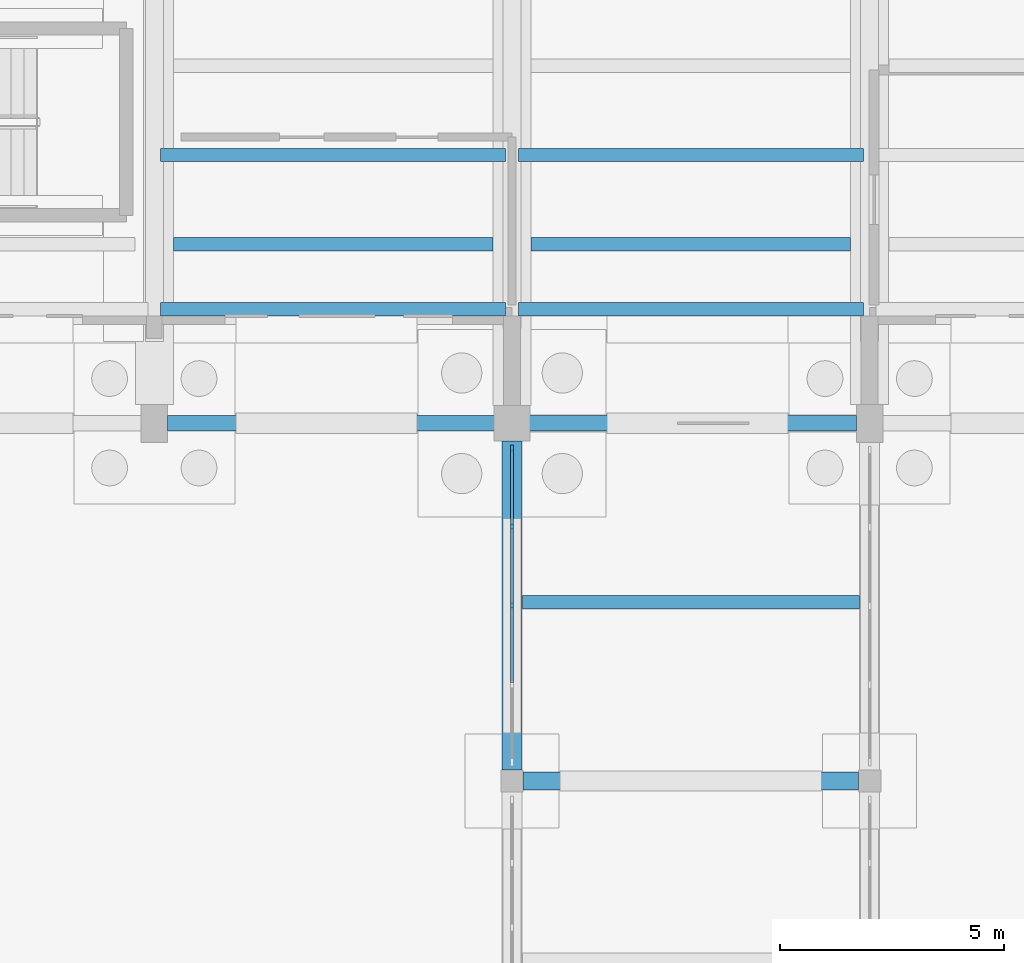
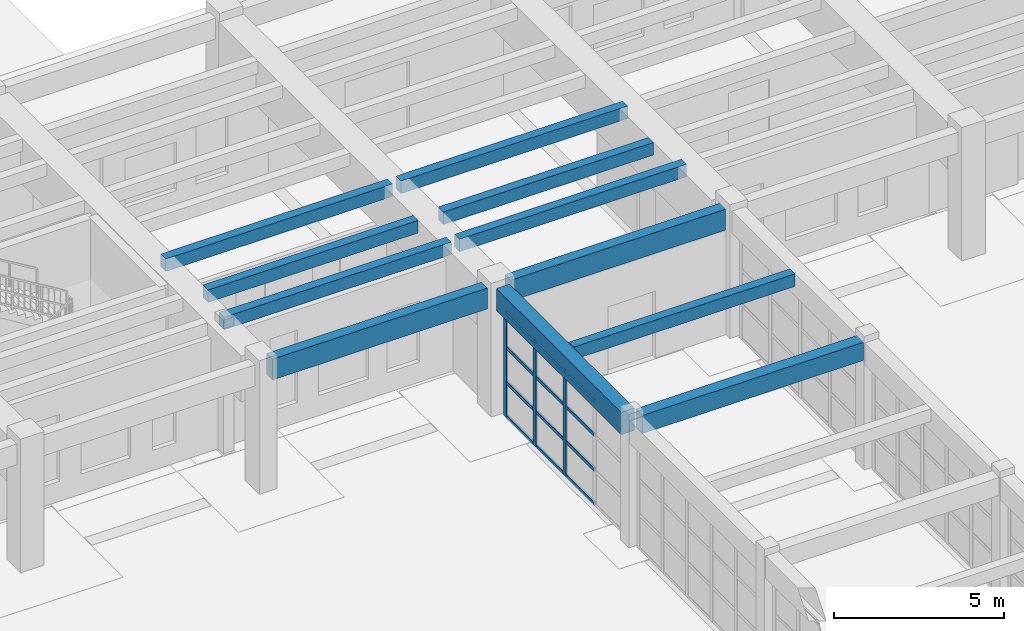
# One storey, part 26 of 68: 15 members, 11 beams, 1 element without a shape of its own.
"""IFC4 building model written with IfcOpenShell, lengths in metres."""

from ifc_helpers import new_model, si_unit, direction, frame, origin, origin_2d, place, context, subcontext, project, spatial, rectangle, extrude, material, material_profile, profile_set, type_object, element, aggregate, save


model = new_model("IFC4")

# Units and contexts
model_context = context("Model", 3, precision=1e-05, world=origin(), true_north=direction((0.0, 1.0)))
body_context = subcontext(model_context, "Body", "Model", "MODEL_VIEW")
ifc_project = project(units=[si_unit("LENGTHUNIT", "METRE"), si_unit("AREAUNIT", "SQUARE_METRE"), si_unit("VOLUMEUNIT", "CUBIC_METRE"), si_unit("PLANEANGLEUNIT", "RADIAN"), si_unit("MASSUNIT", "GRAM", prefix="KILO")], contexts=[model_context])

# Site, building, storey
site_placement = place(None, origin())
site = spatial("IfcSite", under=ifc_project, at=site_placement, CompositionType="ELEMENT")
building_placement = place(site_placement, origin())
building = spatial("IfcBuilding", under=site, at=building_placement, Name="Serraluz Foothill Cableway Terminal", CompositionType="ELEMENT")
storey_placement = place(building_placement, origin())
storey = spatial("IfcBuildingStorey", under=building, at=storey_placement, Name="L00", CompositionType="ELEMENT", Elevation=0.0)

# Beams
ifc_material_1 = material(Name="Concrete C28/35 (f'c 28 MPa)", Category="concrete")
ifc_material_profile_1 = material_profile(ifc_material_1, rectangle(XDim=0.39990234375, YDim=0.64990234375, at=origin_2d()), Name="RC 400x650")
ifc_profile_set_1 = profile_set([ifc_material_profile_1], Name="Concrete C28/35 (f'c 28 MPa)")
beam_type_1 = type_object("IfcBeamType", Name="TYP-BM-RC400X650", PredefinedType="BEAM", material=ifc_profile_set_1)
beam_1_placement = place(storey_placement, frame((120.24609375, 48.0, 4.235107421875), z_axis=(1.0, 0.0, 0.0), x_axis=(0.0, 1.0, 0.0)))
element("IfcBeam", 1, at=beam_1_placement, inside=storey, type_object=beam_type_1, Name="Primary Girder BM-X-L00-0056", PredefinedType="BEAM", context=body_context, shape_type="SweptSolid", body=[
    extrude(rectangle(XDim=0.39990234375, YDim=0.64990234375, at=origin_2d()), origin(), (0.0, 0.0, 1.0), 7.5078125),
])
ifc_material_2 = material(Name="Concrete C35/45 (f'c 35 MPa)", Category="concrete")
ifc_material_profile_2 = material_profile(ifc_material_2, rectangle(XDim=0.449951171875, YDim=0.800048828125, at=origin_2d()), Name="RC 450x800")
ifc_profile_set_2 = profile_set([ifc_material_profile_2], Name="Concrete C35/45 (f'c 35 MPa)")
beam_type_2 = type_object("IfcBeamType", Name="TYP-BM-RC450X800", PredefinedType="BEAM", material=ifc_profile_set_2)
beam_2_placement = place(storey_placement, frame((120.0, 48.24609375, 4.159912109375), z_axis=(0.0, 1.0, 0.0), x_axis=(-1.0, 0.0, 0.0)))
element("IfcBeam", 2, at=beam_2_placement, inside=storey, type_object=beam_type_2, Name="Transverse Girder BM-Y-L00-0161", PredefinedType="BEAM", context=body_context, shape_type="SweptSolid", body=[
    extrude(rectangle(XDim=0.449951171875, YDim=0.800048828125, at=origin_2d()), origin(), (0.0, 0.0, 1.0), 7.35791015625),
])

# Curtain wall, members
ifc_material_3 = material(Name="Architectural bronze alloy C28000", Category="aluminium")
curtain_wall_type = type_object("IfcCurtainWallType", Name="TYP-CW-710X420", PredefinedType="NOTDEFINED", material=ifc_material_3)
curtain_wall_placement = place(storey_placement, origin())
curtain_wall = element("IfcCurtainWall", 3, at=curtain_wall_placement, inside=storey, type_object=curtain_wall_type, Name="Ribbed Glazed Curtain Wall CW-CLW-L00-48", PredefinedType="NOTDEFINED")
ifc_material_profile_3 = material_profile(ifc_material_3, rectangle(XDim=0.06005859375, YDim=0.159912109375, at=origin_2d()), Name="ALU MULLION 60x160")
ifc_profile_set_3 = profile_set([ifc_material_profile_3], Name="Architectural bronze alloy C28000")
member_type_1 = type_object("IfcMemberType", Name="TYP-CW-MUL-60X160", PredefinedType="MULLION", material=ifc_profile_set_3)
member_1_placement = place(storey_placement, frame((120.0, 51.925048828125, 0.0), z_axis=(0.0, 0.0, 1.0), x_axis=(-1.0, 0.0, 0.0)))
member_1 = element("IfcMember", 4, at=member_1_placement, type_object=member_type_1, Name="CW-01 mullion 3", PredefinedType="MULLION", context=body_context, shape_type="SweptSolid", body=[
    extrude(rectangle(XDim=0.06005859375, YDim=0.159912109375, at=origin_2d()), origin(), (0.0, 0.0, 1.0), 3.760009765625),
])
member_2_placement = place(storey_placement, frame((120.0, 53.6923828125, 0.0), z_axis=(0.0, 0.0, 1.0), x_axis=(-1.0, 0.0, 0.0)))
member_2 = element("IfcMember", 5, at=member_2_placement, type_object=member_type_1, Name="CW-01 mullion 4", PredefinedType="MULLION", context=body_context, shape_type="SweptSolid", body=[
    extrude(rectangle(XDim=0.06005859375, YDim=0.159912109375, at=origin_2d()), origin(), (0.0, 0.0, 1.0), 3.760009765625),
])
member_3_placement = place(storey_placement, frame((120.0, 55.429931640625, 0.0), z_axis=(0.0, 0.0, 1.0), x_axis=(-1.0, 0.0, 0.0)))
member_3 = element("IfcMember", 6, at=member_3_placement, type_object=member_type_1, Name="CW-01 mullion 5", PredefinedType="MULLION", context=body_context, shape_type="SweptSolid", body=[
    extrude(rectangle(XDim=0.06005859375, YDim=0.159912109375, at=origin_2d()), origin(), (0.0, 0.0, 1.0), 3.760009765625),
])
ifc_material_profile_4 = material_profile(ifc_material_3, rectangle(XDim=0.06005859375, YDim=0.1201171875, at=origin_2d()), Name="ALU TRANSOM 60x120")
ifc_profile_set_4 = profile_set([ifc_material_profile_4], Name="Architectural bronze alloy C28000")
member_type_2 = type_object("IfcMemberType", Name="TYP-CW-TRN-60X120", PredefinedType="USERDEFINED", material=ifc_profile_set_4)
member_4_placement = place(storey_placement, frame((120.0, 50.1875, 0.030029296875), z_axis=(0.0, 1.0, 0.0), x_axis=(-1.0, 0.0, 0.0)))
member_4 = element("IfcMember", 7, at=member_4_placement, type_object=member_type_2, Name="CW-01 transom 2.1", ObjectType="TRANSOM", PredefinedType="USERDEFINED", context=body_context, shape_type="SweptSolid", body=[
    extrude(rectangle(XDim=0.06005859375, YDim=0.1201171875, at=origin_2d()), origin(), (0.0, 0.0, 1.0), 1.70751953125),
])
member_5_placement = place(storey_placement, frame((120.0, 50.1875, 1.25341796875), z_axis=(0.0, 1.0, 0.0), x_axis=(-1.0, 0.0, 0.0)))
member_5 = element("IfcMember", 8, at=member_5_placement, type_object=member_type_2, Name="CW-01 transom 2.2", ObjectType="TRANSOM", PredefinedType="USERDEFINED", context=body_context, shape_type="SweptSolid", body=[
    extrude(rectangle(XDim=0.06005859375, YDim=0.1201171875, at=origin_2d()), origin(), (0.0, 0.0, 1.0), 1.70751953125),
])
member_6_placement = place(storey_placement, frame((120.0, 50.1875, 2.506591796875), z_axis=(0.0, 1.0, 0.0), x_axis=(-1.0, 0.0, 0.0)))
member_6 = element("IfcMember", 9, at=member_6_placement, type_object=member_type_2, Name="CW-01 transom 2.3", ObjectType="TRANSOM", PredefinedType="USERDEFINED", context=body_context, shape_type="SweptSolid", body=[
    extrude(rectangle(XDim=0.06005859375, YDim=0.1201171875, at=origin_2d()), origin(), (0.0, 0.0, 1.0), 1.70751953125),
])
member_7_placement = place(storey_placement, frame((120.0, 50.1875, 3.72998046875), z_axis=(0.0, 1.0, 0.0), x_axis=(-1.0, 0.0, 0.0)))
member_7 = element("IfcMember", 10, at=member_7_placement, type_object=member_type_2, Name="CW-01 transom 2.4", ObjectType="TRANSOM", PredefinedType="USERDEFINED", context=body_context, shape_type="SweptSolid", body=[
    extrude(rectangle(XDim=0.06005859375, YDim=0.1201171875, at=origin_2d()), origin(), (0.0, 0.0, 1.0), 1.70751953125),
])
member_8_placement = place(storey_placement, frame((120.0, 51.955078125, 0.030029296875), z_axis=(0.0, 1.0, 0.0), x_axis=(-1.0, 0.0, 0.0)))
member_8 = element("IfcMember", 11, at=member_8_placement, type_object=member_type_2, Name="CW-01 transom 3.1", ObjectType="TRANSOM", PredefinedType="USERDEFINED", context=body_context, shape_type="SweptSolid", body=[
    extrude(rectangle(XDim=0.06005859375, YDim=0.1201171875, at=origin_2d()), origin(), (0.0, 0.0, 1.0), 1.70751953125),
])
member_9_placement = place(storey_placement, frame((120.0, 51.955078125, 1.25341796875), z_axis=(0.0, 1.0, 0.0), x_axis=(-1.0, 0.0, 0.0)))
member_9 = element("IfcMember", 12, at=member_9_placement, type_object=member_type_2, Name="CW-01 transom 3.2", ObjectType="TRANSOM", PredefinedType="USERDEFINED", context=body_context, shape_type="SweptSolid", body=[
    extrude(rectangle(XDim=0.06005859375, YDim=0.1201171875, at=origin_2d()), origin(), (0.0, 0.0, 1.0), 1.70751953125),
])
member_10_placement = place(storey_placement, frame((120.0, 51.955078125, 2.506591796875), z_axis=(0.0, 1.0, 0.0), x_axis=(-1.0, 0.0, 0.0)))
member_10 = element("IfcMember", 13, at=member_10_placement, type_object=member_type_2, Name="CW-01 transom 3.3", ObjectType="TRANSOM", PredefinedType="USERDEFINED", context=body_context, shape_type="SweptSolid", body=[
    extrude(rectangle(XDim=0.06005859375, YDim=0.1201171875, at=origin_2d()), origin(), (0.0, 0.0, 1.0), 1.70751953125),
])
member_11_placement = place(storey_placement, frame((120.0, 51.955078125, 3.72998046875), z_axis=(0.0, 1.0, 0.0), x_axis=(-1.0, 0.0, 0.0)))
member_11 = element("IfcMember", 14, at=member_11_placement, type_object=member_type_2, Name="CW-01 transom 3.4", ObjectType="TRANSOM", PredefinedType="USERDEFINED", context=body_context, shape_type="SweptSolid", body=[
    extrude(rectangle(XDim=0.06005859375, YDim=0.1201171875, at=origin_2d()), origin(), (0.0, 0.0, 1.0), 1.70751953125),
])
member_12_placement = place(storey_placement, frame((120.0, 53.722412109375, 0.030029296875), z_axis=(0.0, 1.0, 0.0), x_axis=(-1.0, 0.0, 0.0)))
member_12 = element("IfcMember", 15, at=member_12_placement, type_object=member_type_2, Name="CW-01 transom 4.1", ObjectType="TRANSOM", PredefinedType="USERDEFINED", context=body_context, shape_type="SweptSolid", body=[
    extrude(rectangle(XDim=0.06005859375, YDim=0.1201171875, at=origin_2d()), origin(), (0.0, 0.0, 1.0), 1.677490234375),
])
member_13_placement = place(storey_placement, frame((120.0, 53.722412109375, 1.25341796875), z_axis=(0.0, 1.0, 0.0), x_axis=(-1.0, 0.0, 0.0)))
member_13 = element("IfcMember", 16, at=member_13_placement, type_object=member_type_2, Name="CW-01 transom 4.2", ObjectType="TRANSOM", PredefinedType="USERDEFINED", context=body_context, shape_type="SweptSolid", body=[
    extrude(rectangle(XDim=0.06005859375, YDim=0.1201171875, at=origin_2d()), origin(), (0.0, 0.0, 1.0), 1.677490234375),
])
member_14_placement = place(storey_placement, frame((120.0, 53.722412109375, 2.506591796875), z_axis=(0.0, 1.0, 0.0), x_axis=(-1.0, 0.0, 0.0)))
member_14 = element("IfcMember", 17, at=member_14_placement, type_object=member_type_2, Name="CW-01 transom 4.3", ObjectType="TRANSOM", PredefinedType="USERDEFINED", context=body_context, shape_type="SweptSolid", body=[
    extrude(rectangle(XDim=0.06005859375, YDim=0.1201171875, at=origin_2d()), origin(), (0.0, 0.0, 1.0), 1.677490234375),
])
member_15_placement = place(storey_placement, frame((120.0, 53.722412109375, 3.72998046875), z_axis=(0.0, 1.0, 0.0), x_axis=(-1.0, 0.0, 0.0)))
member_15 = element("IfcMember", 18, at=member_15_placement, type_object=member_type_2, Name="CW-01 transom 4.4", ObjectType="TRANSOM", PredefinedType="USERDEFINED", context=body_context, shape_type="SweptSolid", body=[
    extrude(rectangle(XDim=0.06005859375, YDim=0.1201171875, at=origin_2d()), origin(), (0.0, 0.0, 1.0), 1.677490234375),
])
aggregate(curtain_wall, [member_1, member_2, member_3, member_4, member_5, member_6, member_7, member_8, member_9, member_10, member_11, member_12, member_13, member_14, member_15])

# Beams
ifc_material_profile_5 = material_profile(ifc_material_1, rectangle(XDim=0.300048828125, YDim=0.449951171875, at=origin_2d()), Name="RC 300x450")
ifc_profile_set_5 = profile_set([ifc_material_profile_5], Name="Concrete C28/35 (f'c 28 MPa)")
beam_type_3 = type_object("IfcBeamType", Name="TYP-JS-RC300X450", PredefinedType="JOIST", material=ifc_profile_set_5)
beam_3_placement = place(storey_placement, frame((112.429931640625, 60.0, 4.27490234375), z_axis=(1.0, 0.0, 0.0), x_axis=(0.0, 1.0, 0.0)))
element("IfcBeam", 19, at=beam_3_placement, inside=storey, type_object=beam_type_3, Name="Secondary Floor Joist JS-L00-0043", PredefinedType="JOIST", context=body_context, shape_type="SweptSolid", body=[
    extrude(rectangle(XDim=0.300048828125, YDim=0.449951171875, at=origin_2d()), origin(), (0.0, 0.0, 1.0), 7.14013671875),
])
beam_4_placement = place(storey_placement, frame((120.22998046875, 52.0, 4.3349609375), z_axis=(1.0, 0.0, 0.0), x_axis=(0.0, 1.0, 0.0)))
element("IfcBeam", 20, at=beam_4_placement, inside=storey, type_object=beam_type_3, Name="Secondary Floor Joist JS-L00-0053", PredefinedType="JOIST", context=body_context, shape_type="SweptSolid", body=[
    extrude(rectangle(XDim=0.300048828125, YDim=0.449951171875, at=origin_2d()), origin(), (0.0, 0.0, 1.0), 7.5400390625),
])
beam_5_placement = place(storey_placement, frame((120.429931640625, 60.0, 4.27490234375), z_axis=(1.0, 0.0, 0.0), x_axis=(0.0, 1.0, 0.0)))
element("IfcBeam", 21, at=beam_5_placement, inside=storey, type_object=beam_type_3, Name="Secondary Floor Joist JS-L00-0054", PredefinedType="JOIST", context=body_context, shape_type="SweptSolid", body=[
    extrude(rectangle(XDim=0.300048828125, YDim=0.449951171875, at=origin_2d()), origin(), (0.0, 0.0, 1.0), 7.14013671875),
])
for number, where, z_axis, x_axis, name in (
    (22, (112.139892578125, 58.550048828125, 4.27490234375), (1.0, 0.0, 0.0), (0.0, 1.0, 0.0), "Composite Deck Joist L00-015"),
    (23, (112.139892578125, 62.0, 4.27490234375), (1.0, 0.0, 0.0), (0.0, 1.0, 0.0), "Composite Deck Joist L00-016"),
    (24, (120.139892578125, 58.550048828125, 4.27490234375), (1.0, 0.0, 0.0), (0.0, 1.0, 0.0), "Composite Deck Joist L00-019"),
    (25, (120.139892578125, 62.0, 4.27490234375), (1.0, 0.0, 0.0), (0.0, 1.0, 0.0), "Composite Deck Joist L00-020"),
):
    element("IfcBeam", number, at=place(storey_placement, frame(where, z_axis=z_axis, x_axis=x_axis)), inside=storey, type_object=beam_type_3, Name=name, PredefinedType="JOIST", context=body_context, shape_type="SweptSolid", body=[
        extrude(rectangle(XDim=0.300048828125, YDim=0.449951171875, at=origin_2d()), origin(), (0.0, 0.0, 1.0), 7.72021484375),
    ])
ifc_material_4 = material(Name="Precast concrete C40/50", Category="concrete")
ifc_material_profile_6 = material_profile(ifc_material_4, rectangle(XDim=0.35009765625, YDim=0.75, at=origin_2d()), Name="RC SP 350x750")
ifc_profile_set_6 = profile_set([ifc_material_profile_6], Name="Precast concrete C40/50")
beam_type_4 = type_object("IfcBeamType", Name="TYP-SP-RC350X750", PredefinedType="SPANDREL", material=ifc_profile_set_6)
for number, where, z_axis, x_axis, name in (
    (26, (112.2958984375, 56.0, 4.125), (1.0, 0.0, 0.0), (0.0, 1.0, 0.0), "Primary Girder BM-X-L00-0070"),
    (27, (120.39599609375, 56.0, 4.125), (1.0, 0.0, 0.0), (0.0, 1.0, 0.0), "Primary Girder BM-X-L00-0071"),
):
    element("IfcBeam", number, at=place(storey_placement, frame(where, z_axis=z_axis, x_axis=x_axis)), inside=storey, type_object=beam_type_4, Name=name, PredefinedType="SPANDREL", context=body_context, shape_type="SweptSolid", body=[
        extrude(rectangle(XDim=0.35009765625, YDim=0.75, at=origin_2d()), origin(), (0.0, 0.0, 1.0), 7.30810546875),
    ])

save(model, "model.ifc")
